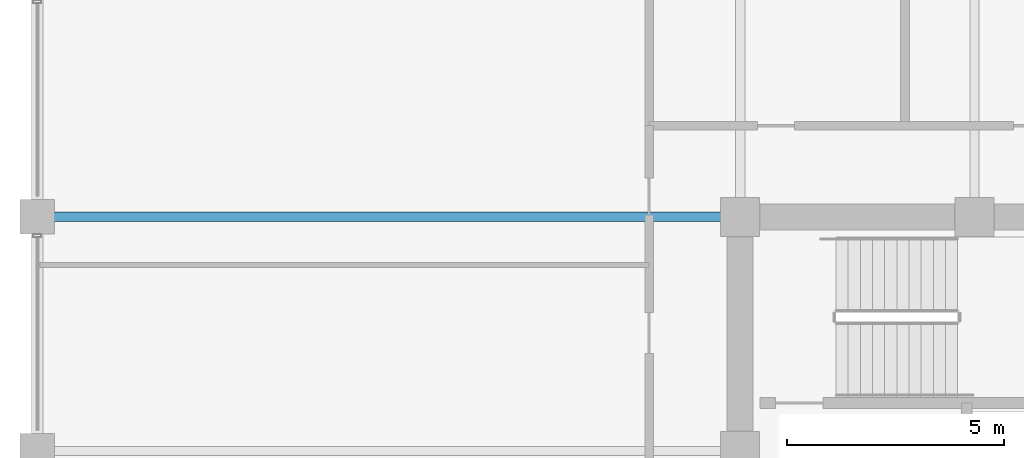
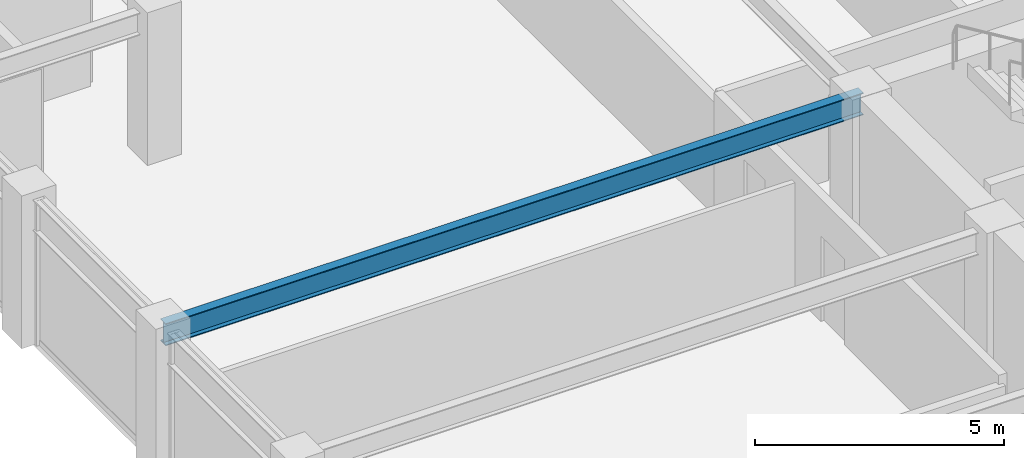
# One storey, part 17 of 32: 1 beam.
"""IFC4 building model written with IfcOpenShell, lengths in metres."""

from ifc_helpers import new_model, si_unit, direction, frame, origin, origin_2d, place, context, subcontext, project, spatial, i_section, extrude, material, material_profile, profile_set, type_object, element, save


model = new_model("IFC4")

# Units and contexts
model_context = context("Model", 3, precision=1e-05, world=origin(), true_north=direction((0.0, 1.0)))
body_context = subcontext(model_context, "Body", "Model", "MODEL_VIEW")
ifc_project = project(units=[si_unit("LENGTHUNIT", "METRE"), si_unit("AREAUNIT", "SQUARE_METRE"), si_unit("VOLUMEUNIT", "CUBIC_METRE"), si_unit("PLANEANGLEUNIT", "RADIAN"), si_unit("MASSUNIT", "GRAM", prefix="KILO")], contexts=[model_context])

# Site, building, storey
site_placement = place(None, origin())
site = spatial("IfcSite", under=ifc_project, at=site_placement, CompositionType="ELEMENT")
building_placement = place(site_placement, origin())
building = spatial("IfcBuilding", under=site, at=building_placement, Name="Surkhivell Harbour Commons", CompositionType="ELEMENT")
storey_placement = place(building_placement, frame((0.0, 0.0, 223.5)))
storey = spatial("IfcBuildingStorey", under=building, at=storey_placement, Name="L58", CompositionType="ELEMENT", Elevation=223.5)

# Beam
ifc_material = material(Name="Steel S355", Category="steel")
ifc_material_profile = material_profile(ifc_material, i_section(OverallWidth=0.2119140625, OverallDepth=0.5439453125, WebThickness=0.0126953125, FlangeThickness=0.021240234375, at=origin_2d()), Name="UB533x210x122")
ifc_profile_set = profile_set([ifc_material_profile], Name="Steel S355")
beam_type = type_object("IfcBeamType", Name="BM-GRD-533A", PredefinedType="BEAM", material=ifc_profile_set)
beam_placement = place(storey_placement, frame((-27.0, 10.800048828125, 3.298095703125), z_axis=(1.0, 0.0, 0.0), x_axis=(0.0, 1.0, 0.0)))
element("IfcBeam", 1, at=beam_placement, inside=storey, type_object=beam_type, Name="L58 Floor Girder (-27.0,10.8)", PredefinedType="BEAM", context=body_context, shape_type="SweptSolid", body=[
    extrude(i_section(OverallWidth=0.2119140625, OverallDepth=0.5439453125, WebThickness=0.0126953125, FlangeThickness=0.021240234375, at=origin_2d()), origin(), (0.0, 0.0, 1.0), 16.199951171875),
])

save(model, "model.ifc")
